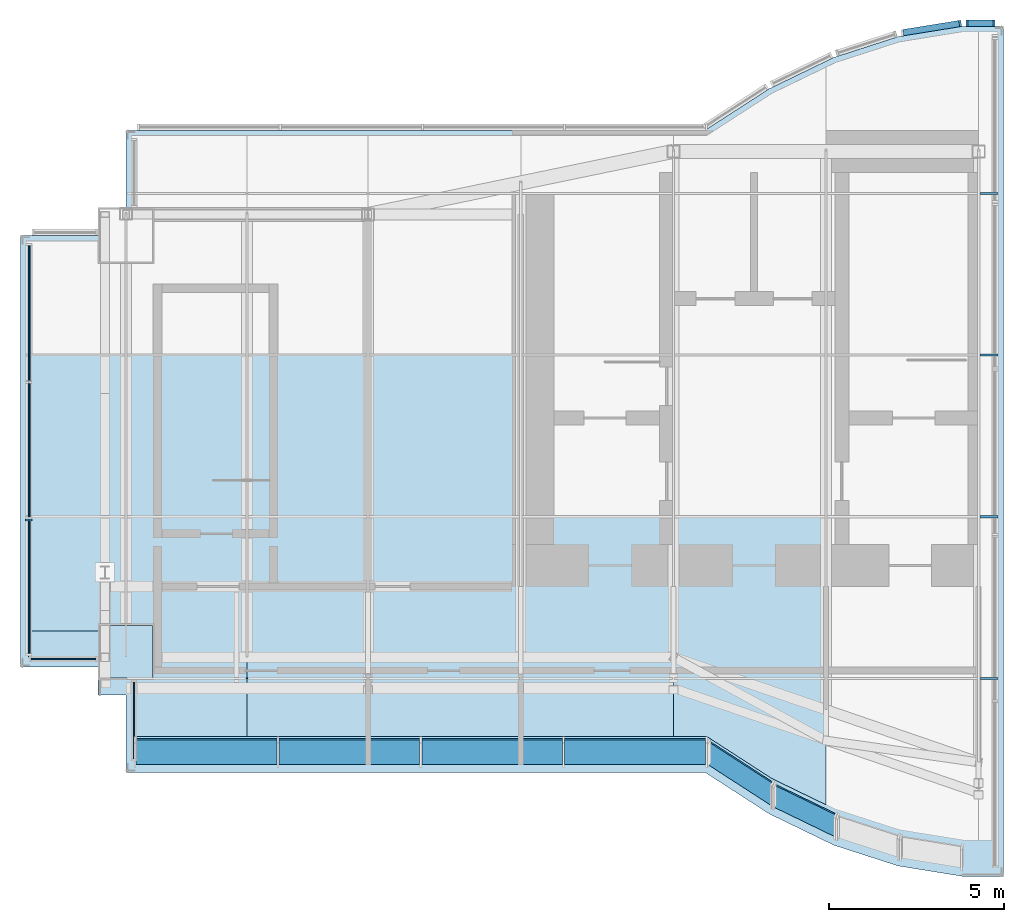
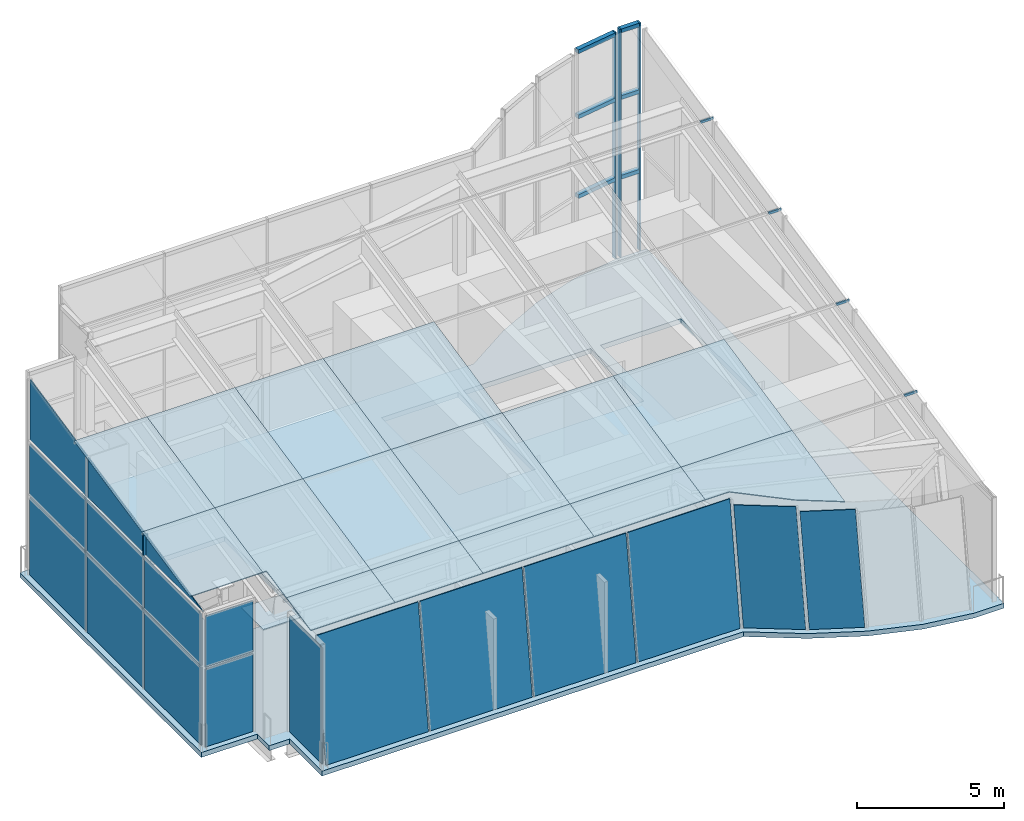
# One storey, part 4 of 8: 34 plates, 14 members, 1 slab, 12 elements without a shape of their own.
"""IFC4 building model written with IfcOpenShell, lengths in metres."""

from ifc_helpers import new_model, si_unit, direction, frame, origin, origin_2d, place, context, subcontext, project, spatial, polyline, rectangle, outline, extrude, material, layer, layer_set, material_profile, profile_set, type_object, element, aggregate, save


model = new_model("IFC4")

# Units and contexts
model_context = context("Model", 3, precision=1e-05, world=origin(), true_north=direction((0.0, 1.0)))
body_context = subcontext(model_context, "Body", "Model", "MODEL_VIEW")
ifc_project = project(units=[si_unit("LENGTHUNIT", "METRE"), si_unit("AREAUNIT", "SQUARE_METRE"), si_unit("VOLUMEUNIT", "CUBIC_METRE"), si_unit("PLANEANGLEUNIT", "RADIAN"), si_unit("MASSUNIT", "GRAM", prefix="KILO")], contexts=[model_context])

# Site, building, storey
site_placement = place(None, origin())
site = spatial("IfcSite", under=ifc_project, at=site_placement, CompositionType="ELEMENT")
building_placement = place(site_placement, origin())
building = spatial("IfcBuilding", under=site, at=building_placement, Name="Bicima Exchange Tower", CompositionType="ELEMENT")
storey_placement = place(building_placement, frame((0.0, 0.0, 379.39990234375)))
storey = spatial("IfcBuildingStorey", under=building, at=storey_placement, Name="L85", CompositionType="ELEMENT", Elevation=379.39990234375)

# Curtain wall, members
ifc_material_1 = material(Name="Anodised bronze aluminium", Category="aluminium")
curtain_wall_type = type_object("IfcCurtainWallType", Name="Crown glass wall", PredefinedType="NOTDEFINED", material=ifc_material_1)
curtain_wall_1_placement = place(storey_placement, origin())
curtain_wall_1 = element("IfcCurtainWall", 1, at=curtain_wall_1_placement, inside=storey, type_object=curtain_wall_type, Name="Crown glass wall L85 run 3", PredefinedType="NOTDEFINED")
ifc_material_profile_1 = material_profile(ifc_material_1, rectangle(XDim=0.179931640625, YDim=0.06005859375, at=origin_2d()))
ifc_profile_set_1 = profile_set([ifc_material_profile_1], Name="Anodised bronze aluminium")
member_type_1 = type_object("IfcMemberType", Name="Crown glass wall mullion 60 x 180", PredefinedType="MULLION", material=ifc_profile_set_1)
member_1_placement = place(storey_placement, frame((-8.260009765625, 3.052978515625, 0.0), z_axis=(0.0, 0.0, 1.0), x_axis=(0.0, -1.0, 0.0)))
member_1 = element("IfcMember", 2, at=member_1_placement, type_object=member_type_1, Name="Crown glass wall mullion 1", PredefinedType="MULLION", context=body_context, shape_type="SweptSolid", body=[
    extrude(rectangle(XDim=0.179931640625, YDim=0.06005859375, at=origin_2d()), origin(), (0.0, 0.0, 1.0), 9.436767578125),
])
member_2_placement = place(storey_placement, frame((-9.0283203125, 3.052978515625, 0.0), z_axis=(0.0, 0.0, 1.0), x_axis=(0.0, -1.0, 0.0)))
member_2 = element("IfcMember", 3, at=member_2_placement, type_object=member_type_1, Name="Crown glass wall mullion 2", PredefinedType="MULLION", context=body_context, shape_type="SweptSolid", body=[
    extrude(rectangle(XDim=0.179931640625, YDim=0.06005859375, at=origin_2d()), origin(), (0.0, 0.0, 1.0), 9.436767578125),
])

# Curtain wall, member
curtain_wall_2_placement = place(storey_placement, origin())
curtain_wall_2 = element("IfcCurtainWall", 4, at=curtain_wall_2_placement, inside=storey, type_object=curtain_wall_type, Name="Crown glass wall L85 run 4", PredefinedType="NOTDEFINED")
member_3_placement = place(storey_placement, frame((-9.22900390625, 3.044189453125, 0.0), z_axis=(0.0, 0.0, 1.0), x_axis=(0.159550386184, -0.987189786347, 0.0)))
member_3 = element("IfcMember", 5, at=member_3_placement, type_object=member_type_1, Name="Crown glass wall mullion 1", PredefinedType="MULLION", context=body_context, shape_type="SweptSolid", body=[
    extrude(rectangle(XDim=0.179931640625, YDim=0.06005859375, at=origin_2d()), origin(), (0.0, 0.0, 1.0), 9.377197265625),
])

curtain_wall_3_placement = place(storey_placement, origin())
curtain_wall_3 = element("IfcCurtainWall", 6, at=curtain_wall_3_placement, inside=storey, type_object=curtain_wall_type, Name="Gable glazing west 11", PredefinedType="NOTDEFINED")
member_4_placement = place(storey_placement, frame((-35.77001953125, -11.111328125, 5.585205078125), z_axis=(0.0, 0.0, 1.0), x_axis=(1.0, 0.0, 0.0)))
member_4 = element("IfcMember", 7, at=member_4_placement, type_object=member_type_1, Name="Gable glazing mullion 3", PredefinedType="MULLION", context=body_context, shape_type="SweptSolid", body=[
    extrude(rectangle(XDim=0.179931640625, YDim=0.06005859375, at=origin_2d()), origin(), (0.0, 0.0, 1.0), 0.8408203125),
])

# Member
ifc_material_profile_2 = material_profile(ifc_material_1, rectangle(XDim=0.179931640625, YDim=0.159912109375, at=origin_2d()))
ifc_profile_set_2 = profile_set([ifc_material_profile_2], Name="Anodised bronze aluminium")
member_type_2 = type_object("IfcMemberType", Name="Crown glass wall transom 160 x 180", PredefinedType="USERDEFINED", material=ifc_profile_set_2)
member_5_placement = place(storey_placement, frame((-8.2900390625, 3.052978515625, 3.300048828125), z_axis=(-1.0, 0.0, 0.0), x_axis=(0.0, -1.0, 0.0)))
member_5 = element("IfcMember", 8, at=member_5_placement, type_object=member_type_2, Name="Crown glass wall transom 1.1", ObjectType="TRANSOM", PredefinedType="USERDEFINED", context=body_context, shape_type="SweptSolid", body=[
    extrude(rectangle(XDim=0.179931640625, YDim=0.159912109375, at=origin_2d()), origin(), (0.0, 0.0, 1.0), 0.708251953125),
])

member_6_placement = place(storey_placement, frame((-8.2900390625, 3.052978515625, 6.60009765625), z_axis=(-1.0, 0.0, 0.0), x_axis=(0.0, -1.0, 0.0)))
member_6 = element("IfcMember", 9, at=member_6_placement, type_object=member_type_2, Name="Crown glass wall transom 1.2", ObjectType="TRANSOM", PredefinedType="USERDEFINED", context=body_context, shape_type="SweptSolid", body=[
    extrude(rectangle(XDim=0.179931640625, YDim=0.159912109375, at=origin_2d()), origin(), (0.0, 0.0, 1.0), 0.708251953125),
])

member_7_placement = place(storey_placement, frame((-8.2900390625, 3.052978515625, 9.356689453125), z_axis=(-1.0, 0.0, 0.0), x_axis=(0.0, -1.0, 0.0)))
member_7 = element("IfcMember", 10, at=member_7_placement, type_object=member_type_2, Name="Crown glass wall transom 1.3", ObjectType="TRANSOM", PredefinedType="USERDEFINED", context=body_context, shape_type="SweptSolid", body=[
    extrude(rectangle(XDim=0.179931640625, YDim=0.159912109375, at=origin_2d()), origin(), (0.0, 0.0, 1.0), 0.708251953125),
])

aggregate(curtain_wall_1, [member_1, member_2, member_5, member_6, member_7])

member_8_placement = place(storey_placement, frame((-9.258544921875, 3.039306640625, 3.300048828125), z_axis=(-0.987184958941, -0.159580252036, 0.0), x_axis=(0.159580252036, -0.987184958941, 0.0)))
member_8 = element("IfcMember", 11, at=member_8_placement, type_object=member_type_2, Name="Crown glass wall transom 1.1", ObjectType="TRANSOM", PredefinedType="USERDEFINED", context=body_context, shape_type="SweptSolid", body=[
    extrude(rectangle(XDim=0.179931640625, YDim=0.159912109375, at=origin_2d()), origin(), (0.0, 0.0, 1.0), 1.611083984375),
])

member_9_placement = place(storey_placement, frame((-9.258544921875, 3.039306640625, 6.60009765625), z_axis=(-0.987184958941, -0.159580252036, 0.0), x_axis=(0.159580252036, -0.987184958941, 0.0)))
member_9 = element("IfcMember", 12, at=member_9_placement, type_object=member_type_2, Name="Crown glass wall transom 1.2", ObjectType="TRANSOM", PredefinedType="USERDEFINED", context=body_context, shape_type="SweptSolid", body=[
    extrude(rectangle(XDim=0.179931640625, YDim=0.159912109375, at=origin_2d()), origin(), (0.0, 0.0, 1.0), 1.611083984375),
])

member_10_placement = place(storey_placement, frame((-9.258544921875, 3.039306640625, 9.297119140625), z_axis=(-0.987184958941, -0.159580252036, 0.0), x_axis=(0.159580252036, -0.987184958941, 0.0)))
member_10 = element("IfcMember", 13, at=member_10_placement, type_object=member_type_2, Name="Crown glass wall transom 1.3", ObjectType="TRANSOM", PredefinedType="USERDEFINED", context=body_context, shape_type="SweptSolid", body=[
    extrude(rectangle(XDim=0.179931640625, YDim=0.159912109375, at=origin_2d()), origin(), (0.0, 0.0, 1.0), 1.611083984375),
])

aggregate(curtain_wall_2, [member_3, member_8, member_9, member_10])

# Curtain wall, members
curtain_wall_4_placement = place(storey_placement, origin())
curtain_wall_4 = element("IfcCurtainWall", 14, at=curtain_wall_4_placement, inside=storey, type_object=curtain_wall_type, Name="Roof glazing west", PredefinedType="NOTDEFINED")
ifc_material_profile_3 = material_profile(ifc_material_1, rectangle(XDim=0.06005859375, YDim=0.090087890625, at=origin_2d()))
ifc_profile_set_3 = profile_set([ifc_material_profile_3], Name="Anodised bronze aluminium")
member_type_3 = type_object("IfcMemberType", Name="Roof glazing bar 60 x 90", PredefinedType="USERDEFINED", material=ifc_profile_set_3)
member_11_placement = place(storey_placement, frame((-8.669921875, -15.624267578125, 5.415283203125), z_axis=(1.0, 0.0, 0.0), x_axis=(0.0, 1.0, 0.0)))
member_11 = element("IfcMember", 15, at=member_11_placement, type_object=member_type_3, Name="Roof glazing bar west cross 1.8", ObjectType="GLAZING BAR", PredefinedType="USERDEFINED", context=body_context, shape_type="SweptSolid", body=[
    extrude(rectangle(XDim=0.06005859375, YDim=0.090087890625, at=origin_2d()), origin(), (0.0, 0.0, 1.0), 0.52001953125),
])
member_12_placement = place(storey_placement, frame((-8.669921875, -11.014892578125, 6.39501953125), z_axis=(1.0, 0.0, 0.0), x_axis=(0.0, 1.0, 0.0)))
member_12 = element("IfcMember", 16, at=member_12_placement, type_object=member_type_3, Name="Roof glazing bar west cross 2.8", ObjectType="GLAZING BAR", PredefinedType="USERDEFINED", context=body_context, shape_type="SweptSolid", body=[
    extrude(rectangle(XDim=0.06005859375, YDim=0.090087890625, at=origin_2d()), origin(), (0.0, 0.0, 1.0), 0.52001953125),
])
member_13_placement = place(storey_placement, frame((-8.669921875, -6.405517578125, 7.374755859375), z_axis=(1.0, 0.0, 0.0), x_axis=(0.0, 1.0, 0.0)))
member_13 = element("IfcMember", 17, at=member_13_placement, type_object=member_type_3, Name="Roof glazing bar west cross 3.8", ObjectType="GLAZING BAR", PredefinedType="USERDEFINED", context=body_context, shape_type="SweptSolid", body=[
    extrude(rectangle(XDim=0.06005859375, YDim=0.090087890625, at=origin_2d()), origin(), (0.0, 0.0, 1.0), 0.52001953125),
])
member_14_placement = place(storey_placement, frame((-8.669921875, -1.79638671875, 8.3544921875), z_axis=(1.0, 0.0, 0.0), x_axis=(0.0, 1.0, 0.0)))
member_14 = element("IfcMember", 18, at=member_14_placement, type_object=member_type_3, Name="Roof glazing bar west cross 4.8", ObjectType="GLAZING BAR", PredefinedType="USERDEFINED", context=body_context, shape_type="SweptSolid", body=[
    extrude(rectangle(XDim=0.06005859375, YDim=0.090087890625, at=origin_2d()), origin(), (0.0, 0.0, 1.0), 0.52001953125),
])

# Slab
ifc_material_2 = material(Name="Concrete C40/50", Category="concrete")
ifc_layer_1 = layer(ifc_material_2, 0.199951171875)
ifc_layer_set_1 = layer_set([ifc_layer_1], Name="Concrete C40/50")
slab_type = type_object("IfcSlabType", Name="Composite floor slab 200", PredefinedType="FLOOR", material=ifc_layer_set_1)
slab_placement = place(storey_placement, frame((0.0, 0.0, -0.199951171875)))
element("IfcSlab", 19, at=slab_placement, inside=storey, type_object=slab_type, Name="Floor slab", PredefinedType="FLOOR", context=body_context, shape_type="SweptSolid", body=[
    extrude(outline(polyline([(-33.800048828125, -15.297119140625), (-36.0, -15.297119140625), (-36.0, -3.0), (-33.800048828125, -3.0), (-33.800048828125, -2.199951171875), (-33.0, -2.199951171875), (-33.0, 0.0), (-16.5, 0.0), (-14.666748046875, 1.185302734375), (-12.833251953125, 2.07421875), (-11.0, 2.666748046875), (-9.166748046875, 2.962890625), (-8.0, 2.962890625), (-8.0, -21.260009765625), (-9.166748046875, -21.260009765625), (-11.0, -20.963623046875), (-12.833251953125, -20.37109375), (-14.666748046875, -19.482177734375), (-16.5, -18.297119140625), (-33.0, -18.297119140625), (-33.0, -16.096923828125), (-33.800048828125, -16.096923828125), (-33.800048828125, -15.297119140625)]), holes=[polyline([(-28.925048828125, -4.625), (-31.97509765625, -4.625), (-31.97509765625, -9.824951171875), (-28.925048828125, -9.824951171875), (-28.925048828125, -4.625)]), polyline([(-17.800048828125, -1.199951171875), (-20.800048828125, -1.199951171875), (-20.800048828125, -6.449951171875), (-17.800048828125, -6.449951171875), (-17.800048828125, -1.199951171875)]), polyline([(-9.074951171875, -1.199951171875), (-12.22509765625, -1.199951171875), (-12.22509765625, -6.39990234375), (-9.074951171875, -6.39990234375), (-9.074951171875, -1.199951171875)]), polyline([(-12.60009765625, -1.199951171875), (-15.10009765625, -1.199951171875), (-17.60009765625, -1.199951171875), (-17.60009765625, -4.800048828125), (-15.10009765625, -4.800048828125), (-12.60009765625, -4.800048828125), (-12.60009765625, -1.199951171875)])]), origin(), (0.0, 0.0, 1.0), 0.199951171875),
])

# Curtain wall, plates
curtain_wall_5_placement = place(storey_placement, origin())
curtain_wall_5 = element("IfcCurtainWall", 20, at=curtain_wall_5_placement, inside=storey, type_object=curtain_wall_type, Name="Crown glass wall L85 run 11", PredefinedType="NOTDEFINED")
ifc_material_3 = material(Name="Bronze tinted glass", Category="glass")
ifc_layer_2 = layer(ifc_material_3, 0.035888671875)
ifc_layer_set_2 = layer_set([ifc_layer_2], Name="Bronze tinted glass")
plate_type_1 = type_object("IfcPlateType", Name="Crown glass wall glass panel 36", PredefinedType="CURTAIN_PANEL", material=ifc_layer_set_2)
plate_1_placement = place(storey_placement, frame((-35.77001953125, -5.207763671875, 0.0), z_axis=(0.0, 0.0, 1.0), x_axis=(0.0, -1.0, 0.0)))
plate_1 = element("IfcPlate", 21, at=plate_1_placement, type_object=plate_type_1, Name="Crown glass wall panel 1.1", PredefinedType="CURTAIN_PANEL", context=body_context, shape_type="SweptSolid", body=[
    extrude(rectangle(XDim=3.835693359375, YDim=0.035888671875, at=origin_2d()), origin(), (0.0, 0.0, 1.0), 3.219970703125),
])
plate_2_placement = place(storey_placement, frame((-35.77001953125, -5.207763671875, 3.30029296875), z_axis=(0.0, 0.0, 1.0), x_axis=(0.0, -1.0, 0.0)))
plate_2 = element("IfcPlate", 22, at=plate_2_placement, type_object=plate_type_1, Name="Crown glass wall panel 1.2", PredefinedType="CURTAIN_PANEL", context=body_context, shape_type="SweptSolid", body=[
    extrude(rectangle(XDim=3.835693359375, YDim=0.035888671875, at=origin_2d()), origin(), (0.0, 0.0, 1.0), 2.144287109375),
])
plate_3_placement = place(storey_placement, frame((-35.77001953125, -9.103515625, 0.0), z_axis=(0.0, 0.0, 1.0), x_axis=(0.0, -1.0, 0.0)))
plate_3 = element("IfcPlate", 23, at=plate_3_placement, type_object=plate_type_1, Name="Crown glass wall panel 2.1", PredefinedType="CURTAIN_PANEL", context=body_context, shape_type="SweptSolid", body=[
    extrude(rectangle(XDim=3.835693359375, YDim=0.035888671875, at=origin_2d()), origin(), (0.0, 0.0, 1.0), 3.219970703125),
])
plate_4_placement = place(storey_placement, frame((-35.77001953125, -9.103515625, 3.30029296875), z_axis=(0.0, 0.0, 1.0), x_axis=(0.0, -1.0, 0.0)))
plate_4 = element("IfcPlate", 24, at=plate_4_placement, type_object=plate_type_1, Name="Crown glass wall panel 2.2", PredefinedType="CURTAIN_PANEL", context=body_context, shape_type="SweptSolid", body=[
    extrude(rectangle(XDim=3.835693359375, YDim=0.035888671875, at=origin_2d()), origin(), (0.0, 0.0, 1.0), 2.144287109375),
])
plate_5_placement = place(storey_placement, frame((-35.77001953125, -12.999267578125, 0.0), z_axis=(0.0, 0.0, 1.0), x_axis=(0.0, -1.0, 0.0)))
plate_5 = element("IfcPlate", 25, at=plate_5_placement, type_object=plate_type_1, Name="Crown glass wall panel 3.1", PredefinedType="CURTAIN_PANEL", context=body_context, shape_type="SweptSolid", body=[
    extrude(rectangle(XDim=3.835693359375, YDim=0.035888671875, at=origin_2d()), origin(), (0.0, 0.0, 1.0), 3.219970703125),
])
plate_6_placement = place(storey_placement, frame((-35.77001953125, -12.999267578125, 3.30029296875), z_axis=(0.0, 0.0, 1.0), x_axis=(0.0, -1.0, 0.0)))
plate_6 = element("IfcPlate", 26, at=plate_6_placement, type_object=plate_type_1, Name="Crown glass wall panel 3.2", PredefinedType="CURTAIN_PANEL", context=body_context, shape_type="SweptSolid", body=[
    extrude(rectangle(XDim=3.835693359375, YDim=0.035888671875, at=origin_2d()), origin(), (0.0, 0.0, 1.0), 2.144287109375),
])
aggregate(curtain_wall_5, [plate_1, plate_2, plate_3, plate_4, plate_5, plate_6])

curtain_wall_6_placement = place(storey_placement, origin())
curtain_wall_6 = element("IfcCurtainWall", 27, at=curtain_wall_6_placement, inside=storey, type_object=curtain_wall_type, Name="Crown glass wall L85 run 12", PredefinedType="NOTDEFINED")
plate_7_placement = place(storey_placement, frame((-34.784912109375, -15.06689453125, 0.0), z_axis=(0.0, 0.0, 1.0), x_axis=(1.0, 0.0, 0.0)))
plate_7 = element("IfcPlate", 28, at=plate_7_placement, type_object=plate_type_1, Name="Crown glass wall panel 1.1", PredefinedType="CURTAIN_PANEL", context=body_context, shape_type="SweptSolid", body=[
    extrude(rectangle(XDim=1.85009765625, YDim=0.035888671875, at=origin_2d()), origin(), (0.0, 0.0, 1.0), 3.219970703125),
])
plate_8_placement = place(storey_placement, frame((-34.784912109375, -15.06689453125, 3.300048828125), z_axis=(0.0, 0.0, 1.0), x_axis=(1.0, 0.0, 0.0)))
plate_8 = element("IfcPlate", 29, at=plate_8_placement, type_object=plate_type_1, Name="Crown glass wall panel 1.2", PredefinedType="CURTAIN_PANEL", context=body_context, shape_type="SweptSolid", body=[
    extrude(rectangle(XDim=1.85009765625, YDim=0.035888671875, at=origin_2d()), origin(), (0.0, 0.0, 1.0), 2.125),
])
aggregate(curtain_wall_6, [plate_7, plate_8])

# Curtain wall, plate
curtain_wall_7_placement = place(storey_placement, origin())
curtain_wall_7 = element("IfcCurtainWall", 30, at=curtain_wall_7_placement, inside=storey, type_object=curtain_wall_type, Name="Crown glass wall L85 run 13", PredefinedType="NOTDEFINED")
plate_9_placement = place(storey_placement, frame((-32.77001953125, -16.81787109375, 0.0), z_axis=(0.0, 0.0, 1.0), x_axis=(0.0, -1.0, 0.0)))
plate_9 = element("IfcPlate", 31, at=plate_9_placement, type_object=plate_type_1, Name="Crown glass wall panel 1.1", PredefinedType="CURTAIN_PANEL", context=body_context, shape_type="SweptSolid", body=[
    extrude(rectangle(XDim=2.1982421875, YDim=0.035888671875, at=origin_2d()), origin(), (0.0, 0.0, 1.0), 4.806396484375),
])
aggregate(curtain_wall_7, [plate_9])

# Curtain wall, plates
curtain_wall_8_placement = place(storey_placement, origin())
curtain_wall_8 = element("IfcCurtainWall", 32, at=curtain_wall_8_placement, inside=storey, type_object=curtain_wall_type, Name="Crown tilted glass L85 14.1", PredefinedType="NOTDEFINED")
plate_10_placement = place(storey_placement, frame((-32.7099609375, -18.06689453125, 0.0), z_axis=(0.0, -0.990268472918, 0.139170225062), x_axis=(1.0, 0.0, 0.0)))
plate_10 = element("IfcPlate", 33, at=plate_10_placement, type_object=plate_type_1, Name="Crown tilted glass panel 1", PredefinedType="CURTAIN_PANEL", context=body_context, shape_type="SweptSolid", body=[
    extrude(outline(polyline([(0.0, 0.0), (4.009521484375, 0.0), (4.009521484375, 4.996129737467892), (0.0, 4.996129737467892), (0.0, 0.0)])), origin(), (0.0, 0.0, -1.0), 0.035888671875),
])
plate_11_placement = place(storey_placement, frame((-28.640380859375, -18.06689453125, 0.0), z_axis=(0.0, -0.990268472918, 0.139170225062), x_axis=(1.0, 0.0, 0.0)))
plate_11 = element("IfcPlate", 34, at=plate_11_placement, type_object=plate_type_1, Name="Crown tilted glass panel 2", PredefinedType="CURTAIN_PANEL", context=body_context, shape_type="SweptSolid", body=[
    extrude(outline(polyline([(0.0, 0.0), (4.00927734375, 0.0), (4.00927734375, 4.996129737467893), (0.0, 4.996129737467893), (0.0, 0.0)])), origin(), (0.0, 0.0, -1.0), 0.035888671875),
])
plate_12_placement = place(storey_placement, frame((-24.571044921875, -18.06689453125, 0.0), z_axis=(0.0, -0.990268472918, 0.139170225062), x_axis=(1.0, 0.0, 0.0)))
plate_12 = element("IfcPlate", 35, at=plate_12_placement, type_object=plate_type_1, Name="Crown tilted glass panel 3", PredefinedType="CURTAIN_PANEL", context=body_context, shape_type="SweptSolid", body=[
    extrude(outline(polyline([(0.0, 0.0), (4.009521484375, 0.0), (4.009521484375, 4.996129737467892), (0.0, 4.996129737467892), (0.0, 0.0)])), origin(), (0.0, 0.0, -1.0), 0.035888671875),
])
plate_13_placement = place(storey_placement, frame((-20.501708984375, -18.06689453125, 0.0), z_axis=(0.0, -0.990268472918, 0.139170225062), x_axis=(1.0, 0.0, 0.0)))
plate_13 = element("IfcPlate", 36, at=plate_13_placement, type_object=plate_type_1, Name="Crown tilted glass panel 4", PredefinedType="CURTAIN_PANEL", context=body_context, shape_type="SweptSolid", body=[
    extrude(outline(polyline([(0.0, 0.0), (4.009521484375, 0.0), (4.009521484375, 4.996129737467892), (0.0, 4.996129737467892), (0.0, 0.0)])), origin(), (0.0, 0.0, -1.0), 0.035888671875),
])
aggregate(curtain_wall_8, [plate_10, plate_11, plate_12, plate_13])

# Curtain wall, plate
curtain_wall_9_placement = place(storey_placement, origin())
curtain_wall_9 = element("IfcCurtainWall", 37, at=curtain_wall_9_placement, inside=storey, type_object=curtain_wall_type, Name="Crown tilted glass L85 15.1", PredefinedType="NOTDEFINED")
plate_14_placement = place(storey_placement, frame((-16.381591796875, -18.099609375, 0.0), z_axis=(-0.539163270478, -0.834002076131, 0.117232695), x_axis=(0.839792890287, -0.542906899407, 0.0)))
plate_14 = element("IfcPlate", 38, at=plate_14_placement, type_object=plate_type_1, Name="Crown tilted glass panel 1", PredefinedType="CURTAIN_PANEL", context=body_context, shape_type="SweptSolid", body=[
    extrude(outline(polyline([(0.0, 0.0), (2.116697951583747, 1.3877787807814457e-17), (1.7588247512911965, 4.7220138971097105), (-0.3578732002925507, 4.7220138971097105), (0.0, 0.0)])), origin(), (0.0, 0.0, -1.0), 0.035888671875),
])
aggregate(curtain_wall_9, [plate_14])

curtain_wall_10_placement = place(storey_placement, origin())
curtain_wall_10 = element("IfcCurtainWall", 39, at=curtain_wall_10_placement, inside=storey, type_object=curtain_wall_type, Name="Crown tilted glass L85 16.1", PredefinedType="NOTDEFINED")
plate_15_placement = place(storey_placement, frame((-14.499755859375, -19.3076171875, 0.0), z_axis=(-0.432764080607, -0.892732308016, 0.125476199975), x_axis=(0.899844508618, -0.436210797961, 7.244529e-06)))
plate_15 = element("IfcPlate", 40, at=plate_15_placement, type_object=plate_type_1, Name="Crown tilted glass panel 1", PredefinedType="CURTAIN_PANEL", context=body_context, shape_type="SweptSolid", body=[
    extrude(outline(polyline([(0.0, 0.0), (1.8874807268503533, -1.3877787807814457e-17), (1.6114737046378005, 4.539035833553176), (-0.27611351898939884, 4.539063400009397), (0.0, 0.0)])), origin(), (0.0, 0.0, -1.0), 0.035888671875),
])
aggregate(curtain_wall_10, [plate_15])

# Plate
plate_16_placement = place(storey_placement, frame((-35.77001953125, -3.2900390625, 5.585205078125), z_axis=(-1.0, 0.0, 0.0), x_axis=(0.0, -1.0, 0.0)))
plate_16 = element("IfcPlate", 41, at=plate_16_placement, type_object=plate_type_1, Name="Gable glazing panel 1", PredefinedType="CURTAIN_PANEL", context=body_context, shape_type="SweptSolid", body=[
    extrude(outline(polyline([(0.0, 0.0), (3.86572265625, 0.0), (3.86572265625, 1.681640625), (0.0, 2.503173828125), (0.0, 0.0)])), origin(), (0.0, 0.0, -1.0), 0.035888671875),
])

plate_17_placement = place(storey_placement, frame((-35.77001953125, -7.2158203125, 5.585205078125), z_axis=(-1.0, 0.0, 0.0), x_axis=(0.0, -1.0, 0.0)))
plate_17 = element("IfcPlate", 42, at=plate_17_placement, type_object=plate_type_1, Name="Gable glazing panel 2", PredefinedType="CURTAIN_PANEL", context=body_context, shape_type="SweptSolid", body=[
    extrude(outline(polyline([(0.0, 0.0), (3.865478515625, 0.0), (3.865478515625, 0.84716796875), (0.0, 1.668701171875), (0.0, 0.0)])), origin(), (0.0, 0.0, -1.0), 0.035888671875),
])

plate_18_placement = place(storey_placement, frame((-35.77001953125, -11.141357421875, 5.585205078125), z_axis=(-1.0, 0.0, 0.0), x_axis=(0.0, -1.0, 0.0)))
plate_18 = element("IfcPlate", 43, at=plate_18_placement, type_object=plate_type_1, Name="Gable glazing panel 3", PredefinedType="CURTAIN_PANEL", context=body_context, shape_type="SweptSolid", body=[
    extrude(outline(polyline([(0.0, 0.0), (3.86572265625, 0.0), (0.0, 0.83447265625), (0.0, 0.0)])), origin(), (0.0, 0.0, -1.0), 0.035888671875),
])

aggregate(curtain_wall_3, [member_4, plate_16, plate_17, plate_18])

ifc_material_4 = material(Name="Bronze tinted safety glass, interlayer bonded", Category="glass")
ifc_layer_3 = layer(ifc_material_4, 0.0439453125)
ifc_layer_set_3 = layer_set([ifc_layer_3], Name="Bronze tinted safety glass, interlayer bonded")
plate_type_2 = type_object("IfcPlateType", Name="Glass roof panel 44", PredefinedType="CURTAIN_PANEL", material=ifc_layer_set_3)
plate_19_placement = place(storey_placement, frame((-35.85009765625, -11.014892578125, 6.491455078125), z_axis=(0.0, -0.207880688013, 0.97815419007), x_axis=(1.0, 0.0, 0.0)))
plate_19 = element("IfcPlate", 44, at=plate_19_placement, type_object=plate_type_2, Name="Glass roof panel west 1.2", PredefinedType="CURTAIN_PANEL", context=body_context, shape_type="SweptSolid", body=[
    extrude(outline(polyline([(0.0, 0.0), (2.85009765625, 0.0), (2.85009765625, -3.328325193947887), (0.0, -3.328325193947887), (0.0, 0.0)])), origin(), (0.0, 0.0, -1.0), 0.0439453125),
])

plate_20_placement = place(storey_placement, frame((-35.85009765625, -6.405517578125, 7.47119140625), z_axis=(0.0, -0.207908325848, 0.978148315974), x_axis=(1.0, 0.0, 0.0)))
plate_20 = element("IfcPlate", 45, at=plate_20_placement, type_object=plate_type_2, Name="Glass roof panel west 1.3", PredefinedType="CURTAIN_PANEL", context=body_context, shape_type="SweptSolid", body=[
    extrude(outline(polyline([(0.0, 0.0), (2.85009765625, 0.0), (2.85009765625, -4.712347733696322), (0.0, -4.712347733696322), (0.0, 0.0)])), origin(), (0.0, 0.0, -1.0), 0.0439453125),
])

plate_21_placement = place(storey_placement, frame((-32.85009765625, -17.2705078125, 5.161865234375), z_axis=(0.0, -0.207874370221, 0.978155532727), x_axis=(0.0, 0.978155532727, 0.207874370221)))
plate_21 = element("IfcPlate", 46, at=plate_21_placement, type_object=plate_type_2, Name="Glass roof panel west 2.1", PredefinedType="CURTAIN_PANEL", context=body_context, shape_type="SweptSolid", body=[
    extrude(outline(polyline([(0.0, 0.0), (1.6830045726825067, 0.0), (1.6830045726825067, -3.300048828125), (0.0, -3.300048828125), (0.0, 0.0)])), origin(), (0.0, 0.0, -1.0), 0.0439453125),
])

# Curtain wall, plate
curtain_wall_11_placement = place(storey_placement, origin())
curtain_wall_11 = element("IfcCurtainWall", 47, at=curtain_wall_11_placement, inside=storey, type_object=curtain_wall_type, Name="Roof edge glazing west 2.2", PredefinedType="NOTDEFINED")
plate_22_placement = place(storey_placement, frame((-32.85009765625, -14.2705078125, 5.799560546875), z_axis=(1.3805709e-05, -0.207907466687, 0.978148498494), x_axis=(-0.999999999905, -2.87031e-06, 1.3504033e-05)))
plate_22 = element("IfcPlate", 48, at=plate_22_placement, type_object=plate_type_2, Name="Glass roof panel west 2.2", PredefinedType="CURTAIN_PANEL", context=body_context, shape_type="SweptSolid", body=[
    extrude(outline(polyline([(0.0, 0.0), (0.14990234373571448, 0.0), (0.14990234247775172, -3.3283251927006123), (-3.300048829068472, -3.3283251927006123), (-3.3000488291256143, 1.3840225409938918), (-1.3151048247755044e-09, 1.3840225409938918), (0.0, 0.0)])), origin(), (0.0, 0.0, -1.0), 0.0439453125),
])
aggregate(curtain_wall_11, [plate_22])

# Plate
plate_23_placement = place(storey_placement, frame((-33.0, -11.014892578125, 6.491455078125), z_axis=(0.0, -0.207908325848, 0.978148315974), x_axis=(0.0, 0.978148315974, 0.207908325848)))
plate_23 = element("IfcPlate", 49, at=plate_23_placement, type_object=plate_type_2, Name="Glass roof panel west 2.3", PredefinedType="CURTAIN_PANEL", context=body_context, shape_type="SweptSolid", body=[
    extrude(outline(polyline([(0.0, 0.0), (4.712347733696322, 0.0), (4.712347733696322, -3.449951171875), (0.0, -3.449951171875), (0.0, 0.0)])), origin(), (0.0, 0.0, -1.0), 0.0439453125),
])

plate_24_placement = place(storey_placement, frame((-29.550048828125, -17.2705078125, 5.161865234375), z_axis=(0.0, -0.207874370221, 0.978155532727), x_axis=(0.0, 0.978155532727, 0.207874370221)))
plate_24 = element("IfcPlate", 50, at=plate_24_placement, type_object=plate_type_2, Name="Glass roof panel west 3.1", PredefinedType="CURTAIN_PANEL", context=body_context, shape_type="SweptSolid", body=[
    extrude(outline(polyline([(0.0, 0.0), (1.683004572682507, 0.0), (1.683004572682507, -3.449951171875001), (0.0, -3.449951171875001), (0.0, 0.0)])), origin(), (0.0, 0.0, -1.0), 0.0439453125),
])

plate_25_placement = place(storey_placement, frame((-29.550048828125, -15.624267578125, 5.51171875), z_axis=(0.0, -0.207908325848, 0.978148315974), x_axis=(0.0, 0.978148315974, 0.207908325848)))
plate_25 = element("IfcPlate", 51, at=plate_25_placement, type_object=plate_type_2, Name="Glass roof panel west 3.2", PredefinedType="CURTAIN_PANEL", context=body_context, shape_type="SweptSolid", body=[
    extrude(outline(polyline([(0.0, 0.0), (4.712347733696322, 0.0), (4.712347733696322, -3.449951171875), (0.0, -3.449951171875), (0.0, 0.0)])), origin(), (0.0, 0.0, -1.0), 0.0439453125),
])

plate_26_placement = place(storey_placement, frame((-29.550048828125, -11.014892578125, 6.491455078125), z_axis=(0.0, -0.207908325848, 0.978148315974), x_axis=(0.0, 0.978148315974, 0.207908325848)))
plate_26 = element("IfcPlate", 52, at=plate_26_placement, type_object=plate_type_2, Name="Glass roof panel west 3.3", PredefinedType="CURTAIN_PANEL", context=body_context, shape_type="SweptSolid", body=[
    extrude(outline(polyline([(0.0, 0.0), (4.712347733696322, 0.0), (4.712347733696322, -3.449951171875), (0.0, -3.449951171875), (0.0, 0.0)])), origin(), (0.0, 0.0, -1.0), 0.0439453125),
])

plate_27_placement = place(storey_placement, frame((-26.10009765625, -17.2705078125, 5.161865234375), z_axis=(0.0, -0.207874370221, 0.978155532727), x_axis=(0.0, 0.978155532727, 0.207874370221)))
plate_27 = element("IfcPlate", 53, at=plate_27_placement, type_object=plate_type_2, Name="Glass roof panel west 4.1", PredefinedType="CURTAIN_PANEL", context=body_context, shape_type="SweptSolid", body=[
    extrude(outline(polyline([(0.0, 0.0), (1.6830045726825067, 0.0), (1.6830045726825067, -4.35009765625), (0.0, -4.35009765625), (0.0, 0.0)])), origin(), (0.0, 0.0, -1.0), 0.0439453125),
])

plate_28_placement = place(storey_placement, frame((-26.10009765625, -15.624267578125, 5.51171875), z_axis=(0.0, -0.207908325848, 0.978148315974), x_axis=(0.0, 0.978148315974, 0.207908325848)))
plate_28 = element("IfcPlate", 54, at=plate_28_placement, type_object=plate_type_2, Name="Glass roof panel west 4.2", PredefinedType="CURTAIN_PANEL", context=body_context, shape_type="SweptSolid", body=[
    extrude(outline(polyline([(0.0, 0.0), (4.712347733696322, 0.0), (4.712347733696322, -4.35009765625), (0.0, -4.35009765625), (0.0, 0.0)])), origin(), (0.0, 0.0, -1.0), 0.0439453125),
])

plate_29_placement = place(storey_placement, frame((-26.10009765625, -11.014892578125, 6.491455078125), z_axis=(0.0, -0.207908325848, 0.978148315974), x_axis=(0.0, 0.978148315974, 0.207908325848)))
plate_29 = element("IfcPlate", 55, at=plate_29_placement, type_object=plate_type_2, Name="Glass roof panel west 4.3", PredefinedType="CURTAIN_PANEL", context=body_context, shape_type="SweptSolid", body=[
    extrude(outline(polyline([(0.0, 0.0), (4.712347733696322, 0.0), (4.712347733696322, -4.35009765625), (0.0, -4.35009765625), (0.0, 0.0)])), origin(), (0.0, 0.0, -1.0), 0.0439453125),
])

plate_30_placement = place(storey_placement, frame((-21.75, -17.2705078125, 5.161865234375), z_axis=(0.0, -0.207874370221, 0.978155532727), x_axis=(0.0, 0.978155532727, 0.207874370221)))
plate_30 = element("IfcPlate", 56, at=plate_30_placement, type_object=plate_type_2, Name="Glass roof panel west 5.1", PredefinedType="CURTAIN_PANEL", context=body_context, shape_type="SweptSolid", body=[
    extrude(outline(polyline([(0.0, 0.0), (1.6830045726825067, 0.0), (1.6830045726825067, -4.35009765625), (0.0, -4.35009765625), (0.0, 0.0)])), origin(), (0.0, 0.0, -1.0), 0.0439453125),
])

plate_31_placement = place(storey_placement, frame((-21.75, -15.624267578125, 5.51171875), z_axis=(0.0, -0.207908325848, 0.978148315974), x_axis=(0.0, 0.978148315974, 0.207908325848)))
plate_31 = element("IfcPlate", 57, at=plate_31_placement, type_object=plate_type_2, Name="Glass roof panel west 5.2", PredefinedType="CURTAIN_PANEL", context=body_context, shape_type="SweptSolid", body=[
    extrude(outline(polyline([(0.0, 0.0), (4.712347733696322, 0.0), (4.712347733696322, -4.35009765625), (0.0, -4.35009765625), (0.0, 0.0)])), origin(), (0.0, 0.0, -1.0), 0.0439453125),
])

# Curtain wall, plate
curtain_wall_12_placement = place(storey_placement, origin())
curtain_wall_12 = element("IfcCurtainWall", 58, at=curtain_wall_12_placement, inside=storey, type_object=curtain_wall_type, Name="Roof edge glazing west 6.1", PredefinedType="NOTDEFINED")
plate_32_placement = place(storey_placement, frame((-14.593017578125, -18.474609375, 4.90576171875), z_axis=(-2.866803e-06, -0.207914161687, 0.978147075527), x_axis=(-0.83428133856, 0.539291088012, 0.11462883809)))
plate_32 = element("IfcPlate", 59, at=plate_32_placement, type_object=plate_type_2, Name="Glass roof panel west 6.1", PredefinedType="CURTAIN_PANEL", context=body_context, shape_type="SweptSolid", body=[
    extrude(outline(polyline([(0.0, 0.0), (2.2328115015727854, 1.3877787807814457e-16), (3.020449669593134, 0.5205145888415524), (3.948355658715511, -0.8835847175942786), (0.3193540451601574, -3.28182842832351), (-1.7090353071413802, -0.21248722704196374), (0.0, 0.0)])), origin(), (0.0, 0.0, -1.0), 0.0439453125),
])
aggregate(curtain_wall_12, [plate_32])

# Plate
plate_33_placement = place(storey_placement, frame((-17.39990234375, -15.624267578125, 5.51171875), z_axis=(0.0, -0.207908325848, 0.978148315974), x_axis=(0.0, 0.978148315974, 0.207908325848)))
plate_33 = element("IfcPlate", 60, at=plate_33_placement, type_object=plate_type_2, Name="Glass roof panel west 6.2", PredefinedType="CURTAIN_PANEL", context=body_context, shape_type="SweptSolid", body=[
    extrude(outline(polyline([(0.0, 0.0), (4.712347733696322, 0.0), (4.712347733696322, -4.349853515625), (0.0, -4.349853515625), (0.0, 0.0)])), origin(), (0.0, 0.0, -1.0), 0.0439453125),
])

aggregate(curtain_wall_4, [plate_19, plate_20, plate_21, plate_23, plate_24, plate_25, plate_26, plate_27, plate_28, plate_29, plate_30, plate_31, plate_33, member_11, member_12, member_13, member_14])

ifc_material_5 = material(Name="Steel ASTM A572 Gr 50", Category="steel")
ifc_layer_4 = layer(ifc_material_5, 0.0400390625)
ifc_layer_set_4 = layer_set([ifc_layer_4], Name="Steel ASTM A572 Gr 50")
plate_type_3 = type_object("IfcPlateType", Name="Mega column cap plate 40", PredefinedType="SHEET", material=ifc_layer_set_4)
plate_34_placement = place(storey_placement, frame((-33.0, -14.858642578125, 4.4599609375), z_axis=(0.0, 0.0, 1.0), x_axis=(1.0, 0.0, 0.0)))
element("IfcPlate", 61, at=plate_34_placement, inside=storey, type_object=plate_type_3, Name="Mega column cap mega-33.0f", PredefinedType="SHEET", context=body_context, shape_type="SweptSolid", body=[
    extrude(rectangle(XDim=1.5, YDim=1.5, at=origin_2d()), origin(), (0.0, 0.0, 1.0), 0.0400390625),
])

save(model, "model.ifc")
